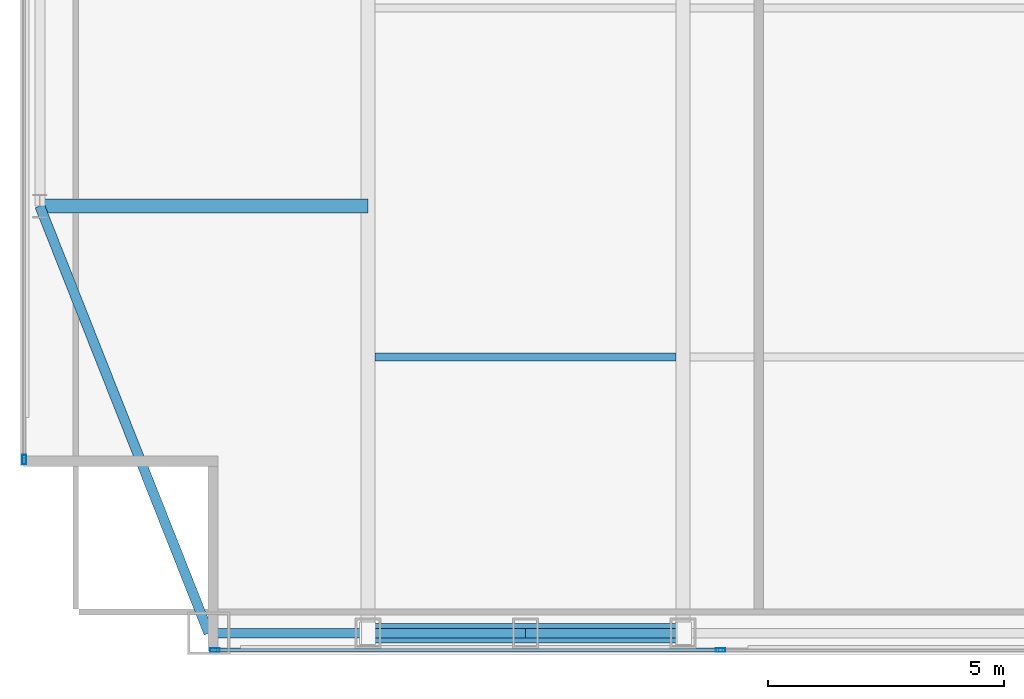
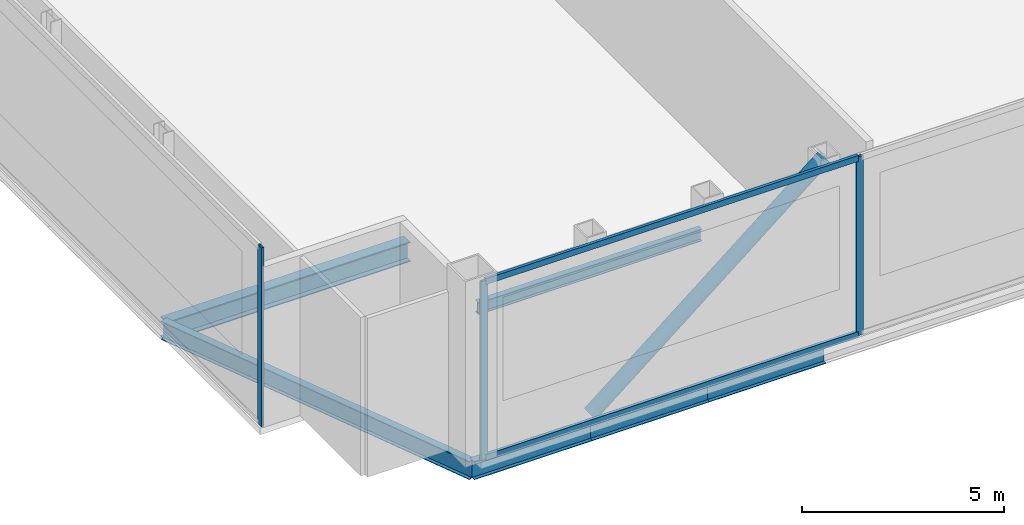
# One storey, part 4 of 22: 6 beams, 6 members, 2 elements without a shape of their own.
"""IFC4 building model written with IfcOpenShell, lengths in metres."""

from ifc_helpers import new_model, si_unit, direction, frame, origin, origin_2d, place, context, subcontext, project, spatial, hollow_rectangle, hollow_circle, i_section, extrude, material, material_profile, profile_set, type_object, element, aggregate, save


model = new_model("IFC4")

# Units and contexts
model_context = context("Model", 3, precision=1e-05, world=origin(), true_north=direction((0.0, 1.0)))
body_context = subcontext(model_context, "Body", "Model", "MODEL_VIEW")
ifc_project = project(units=[si_unit("LENGTHUNIT", "METRE"), si_unit("AREAUNIT", "SQUARE_METRE"), si_unit("VOLUMEUNIT", "CUBIC_METRE"), si_unit("PLANEANGLEUNIT", "RADIAN"), si_unit("MASSUNIT", "GRAM", prefix="KILO")], contexts=[model_context])

# Site, building, storey
site_placement = place(None, origin())
site = spatial("IfcSite", under=ifc_project, at=site_placement, CompositionType="ELEMENT")
building_placement = place(site_placement, origin())
building = spatial("IfcBuilding", under=site, at=building_placement, Name="Khoronbel Lancet Exchange", CompositionType="ELEMENT")
storey_placement = place(building_placement, frame((0.0, 0.0, 367.39990234375)))
storey = spatial("IfcBuildingStorey", under=building, at=storey_placement, Name="L94", CompositionType="ELEMENT", Elevation=367.39990234375)

# Beams
ifc_material_1 = material(Name="Steel S355", Category="steel")
ifc_material_profile_1 = material_profile(ifc_material_1, i_section(OverallWidth=0.300048828125, OverallDepth=0.60009765625, WebThickness=0.015380859375, FlangeThickness=0.030029296875, at=origin_2d()), Name="HEB 600")
ifc_profile_set_1 = profile_set([ifc_material_profile_1], Name="Steel S355")
beam_type_1 = type_object("IfcBeamType", Name="BM-BG5", PredefinedType="BEAM", material=ifc_profile_set_1)
beam_1_placement = place(storey_placement, frame((11.27001953125, 19.199951171875, -0.5), z_axis=(1.0, 0.0, 0.0), x_axis=(0.0, 1.0, 0.0)))
element("IfcBeam", 1, at=beam_1_placement, inside=storey, type_object=beam_type_1, Name="Level L94 west lens tie girder LG1W", PredefinedType="BEAM", context=body_context, shape_type="SweptSolid", body=[
    extrude(i_section(OverallWidth=0.300048828125, OverallDepth=0.60009765625, WebThickness=0.015380859375, FlangeThickness=0.030029296875, at=origin_2d()), origin(), (0.0, 0.0, 1.0), 6.955078125),
])
ifc_material_profile_2 = material_profile(ifc_material_1, i_section(OverallWidth=0.169921875, OverallDepth=0.360107421875, WebThickness=0.008056640625, FlangeThickness=0.0126953125, at=origin_2d()), Name="IPE 360")
ifc_profile_set_2 = profile_set([ifc_material_profile_2], Name="Steel S355")
beam_type_2 = type_object("IfcBeamType", Name="BM-BJ6", PredefinedType="JOIST", material=ifc_profile_set_2)
beam_2_placement = place(storey_placement, frame((18.375, 16.0, -0.3798828125), z_axis=(1.0, 0.0, 0.0), x_axis=(0.0, 1.0, 0.0)))
element("IfcBeam", 2, at=beam_2_placement, inside=storey, type_object=beam_type_2, Name="Level L94 secondary composite joist J01", PredefinedType="JOIST", context=body_context, shape_type="SweptSolid", body=[
    extrude(i_section(OverallWidth=0.169921875, OverallDepth=0.360107421875, WebThickness=0.008056640625, FlangeThickness=0.0126953125, at=origin_2d()), origin(), (0.0, 0.0, 1.0), 6.375),
])
ifc_material_profile_3 = material_profile(ifc_material_1, i_section(OverallWidth=0.2099609375, OverallDepth=0.550048828125, WebThickness=0.010986328125, FlangeThickness=0.01708984375, at=origin_2d()), Name="IPE 550")
ifc_profile_set_3 = profile_set([ifc_material_profile_3], Name="Steel S355")
beam_type_3 = type_object("IfcBeamType", Name="BM-BSP3", PredefinedType="SPANDREL", material=ifc_profile_set_3)
beam_3_placement = place(storey_placement, frame((14.85009765625, 10.14990234375, -0.474853515625), z_axis=(1.0, 0.0, 0.0), x_axis=(0.0, 1.0, 0.0)))
element("IfcBeam", 3, at=beam_3_placement, inside=storey, type_object=beam_type_3, Name="Level L94 perimeter spandrel beam SP01", PredefinedType="SPANDREL", context=body_context, shape_type="SweptSolid", body=[
    extrude(i_section(OverallWidth=0.2099609375, OverallDepth=0.550048828125, WebThickness=0.010986328125, FlangeThickness=0.01708984375, at=origin_2d()), origin(), (0.0, 0.0, 1.0), 3.375),
])
for number, where, z_axis, x_axis, name in (
    (4, (18.22509765625, 10.14990234375, -0.474853515625), (1.0, 0.0, 0.0), (0.0, 1.0, 0.0), "Level L94 perimeter spandrel beam SP02"),
    (5, (21.5625, 10.14990234375, -0.474853515625), (1.0, 0.0, 0.0), (0.0, 1.0, 0.0), "Level L94 perimeter spandrel beam SP03"),
):
    element("IfcBeam", number, at=place(storey_placement, frame(where, z_axis=z_axis, x_axis=x_axis)), inside=storey, type_object=beam_type_3, Name=name, PredefinedType="SPANDREL", context=body_context, shape_type="SweptSolid", body=[
        extrude(i_section(OverallWidth=0.2099609375, OverallDepth=0.550048828125, WebThickness=0.010986328125, FlangeThickness=0.01708984375, at=origin_2d()), origin(), (0.0, 0.0, 1.0), 3.33740234375),
    ])
beam_4_placement = place(storey_placement, frame((11.27001953125, 19.199951171875, -0.474853515625), z_axis=(0.367850095026, -0.92988510451, 0.0), x_axis=(0.92988510451, 0.367850095026, 0.0)))
element("IfcBeam", 6, at=beam_4_placement, inside=storey, type_object=beam_type_3, Name="Level L94 perimeter spandrel beam SP19", PredefinedType="SPANDREL", context=body_context, shape_type="SweptSolid", body=[
    extrude(i_section(OverallWidth=0.2099609375, OverallDepth=0.550048828125, WebThickness=0.010986328125, FlangeThickness=0.01708984375, at=origin_2d()), origin(), (0.0, 0.0, 1.0), 9.732421875),
])

# Curtain wall, member
ifc_material_2 = material(Name="Low-E Solar Control Insulating Glass", Category="glass")
curtain_wall_type = type_object("IfcCurtainWallType", Name="CW-6", PredefinedType="NOTDEFINED", material=ifc_material_2)
curtain_wall_1_placement = place(storey_placement, origin())
curtain_wall_1 = element("IfcCurtainWall", 7, at=curtain_wall_1_placement, inside=storey, type_object=curtain_wall_type, Name="Unitised curtain wall CW-L94-E03", PredefinedType="NOTDEFINED")
ifc_material_3 = material(Name="Bronze-Anodised Aluminium 6063-T6", Category="aluminium")
ifc_material_profile_4 = material_profile(ifc_material_3, hollow_rectangle(XDim=0.074951171875, YDim=0.199951171875, WallThickness=0.0048828125, at=origin_2d()), Name="ALU MULLION 75x200")
ifc_profile_set_4 = profile_set([ifc_material_profile_4], Name="Bronze-Anodised Aluminium 6063-T6")
member_type_1 = type_object("IfcMemberType", Name="MEM-CWM2", PredefinedType="MULLION", material=ifc_profile_set_4)
member_1_placement = place(storey_placement, frame((10.93994140625, 13.827392578125, 0.0), z_axis=(0.0, 0.0, 1.0), x_axis=(-1.0, 0.0, 0.0)))
member_1 = element("IfcMember", 8, at=member_1_placement, type_object=member_type_1, Name="CW6 mullion 1", PredefinedType="MULLION", context=body_context, shape_type="SweptSolid", body=[
    extrude(hollow_rectangle(XDim=0.074951171875, YDim=0.199951171875, WallThickness=0.0048828125, at=origin_2d()), origin(), (0.0, 0.0, 1.0), 5.400146484375),
])
aggregate(curtain_wall_1, [member_1])

# Curtain wall, members
curtain_wall_2_placement = place(storey_placement, origin())
curtain_wall_2 = element("IfcCurtainWall", 9, at=curtain_wall_2_placement, inside=storey, type_object=curtain_wall_type, Name="Unitised curtain wall CW-L94-E12", PredefinedType="NOTDEFINED")
member_2_placement = place(storey_placement, frame((25.695068359375, 9.7900390625, 0.0), z_axis=(0.0, 0.0, 1.0), x_axis=(0.0, -1.0, 0.0)))
member_2 = element("IfcMember", 10, at=member_2_placement, type_object=member_type_1, Name="CW6 mullion 4", PredefinedType="MULLION", context=body_context, shape_type="SweptSolid", body=[
    extrude(hollow_rectangle(XDim=0.074951171875, YDim=0.199951171875, WallThickness=0.0048828125, at=origin_2d()), origin(), (0.0, 0.0, 1.0), 5.400146484375),
])
member_3_placement = place(storey_placement, frame((14.9775390625, 9.7900390625, 0.0), z_axis=(0.0, 0.0, 1.0), x_axis=(0.0, -1.0, 0.0)))
member_3 = element("IfcMember", 11, at=member_3_placement, type_object=member_type_1, Name="CW6 mullion 5", PredefinedType="MULLION", context=body_context, shape_type="SweptSolid", body=[
    extrude(hollow_rectangle(XDim=0.074951171875, YDim=0.199951171875, WallThickness=0.0048828125, at=origin_2d()), origin(), (0.0, 0.0, 1.0), 5.400146484375),
])
ifc_material_profile_5 = material_profile(ifc_material_3, hollow_rectangle(XDim=0.0849609375, YDim=0.179931640625, WallThickness=0.0048828125, at=origin_2d()), Name="ALU TRANSOM 85x180")
ifc_profile_set_5 = profile_set([ifc_material_profile_5], Name="Bronze-Anodised Aluminium 6063-T6")
member_type_2 = type_object("IfcMemberType", Name="MEM-CWT1", PredefinedType="USERDEFINED", material=ifc_profile_set_5)
member_4_placement = place(storey_placement, frame((25.657470703125, 9.7900390625, 0.04248046875), z_axis=(-1.0, 0.0, 0.0), x_axis=(0.0, -1.0, 0.0)))
member_4 = element("IfcMember", 12, at=member_4_placement, type_object=member_type_2, Name="CW6 transom 4.1", ObjectType="TRANSOM", PredefinedType="USERDEFINED", context=body_context, shape_type="SweptSolid", body=[
    extrude(hollow_rectangle(XDim=0.0849609375, YDim=0.179931640625, WallThickness=0.0048828125, at=origin_2d()), origin(), (0.0, 0.0, 1.0), 10.642578125),
])
member_5_placement = place(storey_placement, frame((25.657470703125, 9.7900390625, 5.357666015625), z_axis=(-1.0, 0.0, 0.0), x_axis=(0.0, -1.0, 0.0)))
member_5 = element("IfcMember", 13, at=member_5_placement, type_object=member_type_2, Name="CW6 transom 4.2", ObjectType="TRANSOM", PredefinedType="USERDEFINED", context=body_context, shape_type="SweptSolid", body=[
    extrude(hollow_rectangle(XDim=0.0849609375, YDim=0.179931640625, WallThickness=0.0048828125, at=origin_2d()), origin(), (0.0, 0.0, 1.0), 10.642578125),
])
aggregate(curtain_wall_2, [member_2, member_3, member_4, member_5])

# Member
ifc_material_profile_6 = material_profile(ifc_material_1, hollow_circle(Radius=0.203125, WallThickness=0.02001953125, at=origin_2d()), Name="CHS 406.4x20")
ifc_profile_set_6 = profile_set([ifc_material_profile_6], Name="Steel S355")
member_type_3 = type_object("IfcMemberType", Name="MEM-STR2", PredefinedType="STRUT", material=ifc_profile_set_6)
member_6_placement = place(storey_placement, frame((18.22509765625, 10.14990234375, 0.0), z_axis=(0.776291147856, 0.0, 0.630374534512), x_axis=(0.0, 1.0, 0.0)))
element("IfcMember", 14, at=member_6_placement, inside=storey, type_object=member_type_3, Name="CROWN FRAME diagonal ring brace L94-S1", PredefinedType="STRUT", context=body_context, shape_type="SweptSolid", body=[
    extrude(hollow_circle(Radius=0.203125, WallThickness=0.02001953125, at=origin_2d()), origin(), (0.0, 0.0, 1.0), 8.598388671875),
])

save(model, "model.ifc")
